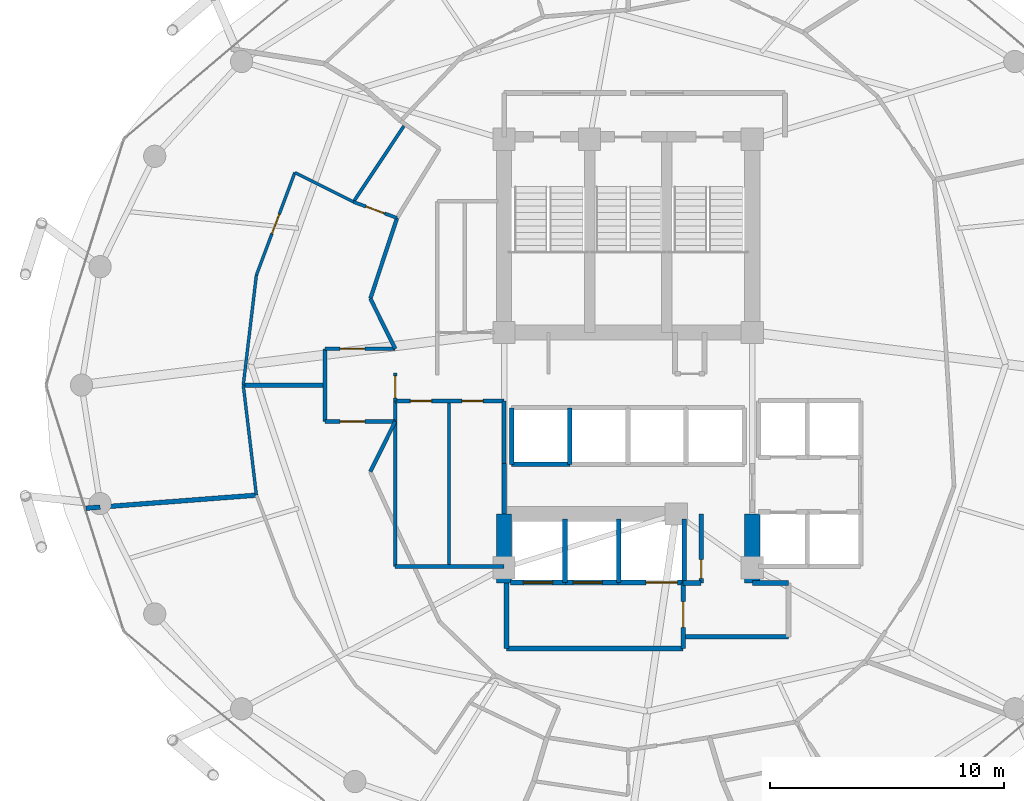
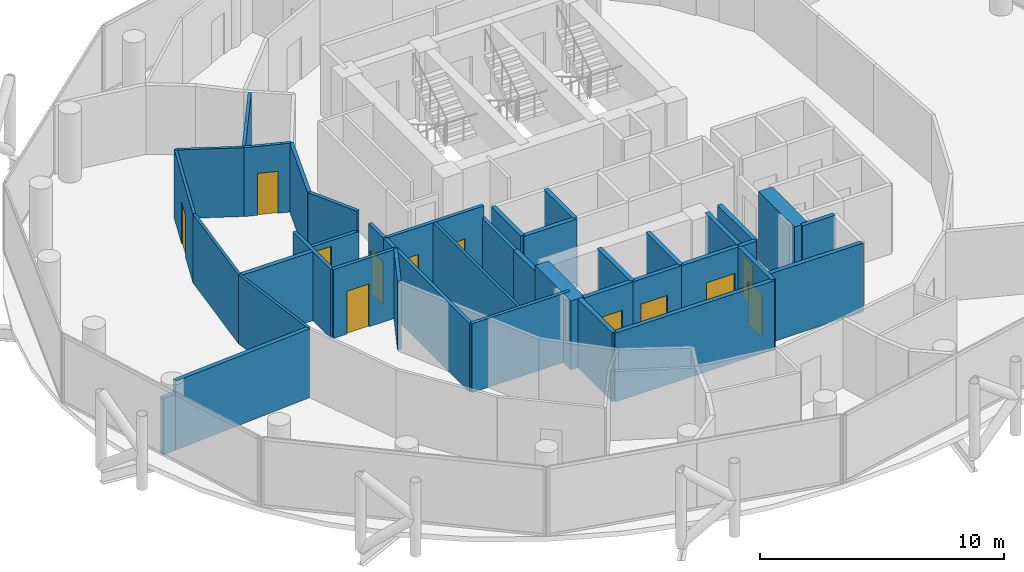
# One storey, part 22 of 26: 40 walls, 12 doors, 12 openings.
"""IFC4 building model written with IfcOpenShell, lengths in metres."""

import ifcopenshell
import ifcopenshell.guid

model = None  # the IFC model being written
_history = None  # IfcOwnerHistory: only IFC2X3 demands one
_inside = {}  # id of a spatial element -> (the spatial element, [elements in it])
_under = {}  # id of a project, library or spatial element -> (it, [spatial elements below it])
_declared = {}  # id of a project -> (the project, [libraries it declares])
_typed = {}  # id of a type object -> (the type object, [elements of that type])
_made_of = {}  # id of a material, layer set ... -> (it, [elements and type objects made of it])


def new_model(schema):
    """Start an empty IFC model of exactly this schema.

    Asked for "IFC4X3", IfcOpenShell would pick the latest addendum, in which some entities
    have other attributes; the version numbers below select the first issue.
    IFC2X3 requires an IfcOwnerHistory on every rooted entity: one is made here for all.
    """
    global model, _history
    if schema == "IFC4X3":
        model = ifcopenshell.file(schema_version=(4, 3, 0, 0))
    else:
        model = ifcopenshell.file(schema=schema)
    _inside.clear()
    _under.clear()
    _declared.clear()
    _typed.clear()
    _made_of.clear()
    _history = None
    if model.schema == "IFC2X3":
        org = make("IfcOrganization", Name="unknown")
        user = make(
            "IfcPersonAndOrganization",
            ThePerson=make("IfcPerson", FamilyName="unknown"),
            TheOrganization=org,
        )
        app = make(
            "IfcApplication",
            ApplicationDeveloper=org,
            Version="unknown",
            ApplicationFullName="unknown",
            ApplicationIdentifier="unknown",
        )
        _history = make(
            "IfcOwnerHistory",
            OwningUser=user,
            OwningApplication=app,
            ChangeAction="ADDED",
            CreationDate=0,
        )
    return model


def make(cls, **values):
    """One entity of the class cls with the attributes given. An attribute that is None is left unset."""
    return model.create_entity(
        cls, **{name: value for name, value in values.items() if value is not None}
    )


def rooted(cls, **values):
    """An entity with a GlobalId (a new one), such as an element, a storey or a relation."""
    return make(cls, GlobalId=ifcopenshell.guid.new(), OwnerHistory=_history, **values)


def si_unit(unit_type, name, prefix=None):
    """IfcSIUnit, for example si_unit("LENGTHUNIT", "METRE", prefix="MILLI")."""
    return make("IfcSIUnit", UnitType=unit_type, Prefix=prefix, Name=name)


def assignment(units):
    """IfcUnitAssignment: the units of a project."""
    return None if units is None else make("IfcUnitAssignment", Units=units)


def point(xyz):
    """IfcCartesianPoint."""
    return None if xyz is None else make("IfcCartesianPoint", Coordinates=xyz)


def direction(xyz):
    """IfcDirection."""
    return None if xyz is None else make("IfcDirection", DirectionRatios=xyz)


def frame(location, z_axis=None, x_axis=None):
    """IfcAxis2Placement3D, a coordinate frame: its origin and axes. An axis left out is left unset."""
    return make(
        "IfcAxis2Placement3D",
        Location=point(location),
        Axis=direction(z_axis),
        RefDirection=direction(x_axis),
    )


def frame_2d(location, x_axis=None):
    """IfcAxis2Placement2D, a coordinate frame in the plane: its origin and x axis."""
    return make(
        "IfcAxis2Placement2D", Location=point(location), RefDirection=direction(x_axis)
    )


def origin():
    """The frame at (0, 0, 0) with its axes left unset."""
    return frame((0.0, 0.0, 0.0))


def place(relative_to, where):
    """IfcLocalPlacement: puts the frame where relative to a parent placement (None: the world)."""
    return make(
        "IfcLocalPlacement", PlacementRelTo=relative_to, RelativePlacement=where
    )


def context(
    kind, dimensions, precision=None, world=None, true_north=None, identifier=None
):
    """IfcGeometricRepresentationContext, for example the 3D "Model" context."""
    return make(
        "IfcGeometricRepresentationContext",
        ContextIdentifier=identifier,
        ContextType=kind,
        CoordinateSpaceDimension=dimensions,
        Precision=precision,
        WorldCoordinateSystem=world,
        TrueNorth=true_north,
    )


def subcontext(parent, identifier, kind, view, scale=None):
    """IfcGeometricRepresentationSubContext, for example "Body" below "Model"."""
    return make(
        "IfcGeometricRepresentationSubContext",
        ContextIdentifier=identifier,
        ContextType=kind,
        ParentContext=parent,
        TargetScale=scale,
        TargetView=view,
    )


def project(units=None, contexts=None):
    """IfcProject with its units and contexts."""
    return rooted(
        "IfcProject",
        Name="project",
        RepresentationContexts=contexts,
        UnitsInContext=assignment(units),
    )


def spatial(cls, under=None, at=None, **own):
    """A site, building, storey or space (cls), placed at a placement, below another one or the project."""
    s = rooted(cls, ObjectPlacement=at, **own)
    if under is not None:
        _under.setdefault(under.id(), (under, []))[1].append(s)
    return s


def profile(cls, at=None, kind="AREA", **sizes):
    """A parametric profile (cls). Its sizes go by their IFC names, for example OverallWidth=200.0."""
    return make(cls, ProfileType=kind, Position=at, **sizes)


def rectangle(**sizes):
    """IfcRectangleProfileDef."""
    return profile("IfcRectangleProfileDef", **sizes)


def extrude(swept, where, along, depth):
    """IfcExtrudedAreaSolid: the profile swept, set in the frame where, extruded along a direction by depth."""
    return make(
        "IfcExtrudedAreaSolid",
        SweptArea=swept,
        Position=where,
        ExtrudedDirection=direction(along),
        Depth=depth,
    )


def shape(context_of_items, identifier, shape_type, items):
    """IfcShapeRepresentation: the items that make up one representation, for example the "Body"."""
    return make(
        "IfcShapeRepresentation",
        ContextOfItems=context_of_items,
        RepresentationIdentifier=identifier,
        RepresentationType=shape_type,
        Items=items,
    )


def material(Name=None, Category=None):
    """IfcMaterial."""
    return make("IfcMaterial", Name=Name, Category=Category)


def layer(
    of_material, thickness, ventilated=None, Name=None, Category=None, Priority=None
):
    """IfcMaterialLayer: one layer of a wall or slab, of a material (None: an air gap)."""
    return make(
        "IfcMaterialLayer",
        Material=of_material,
        LayerThickness=thickness,
        IsVentilated=ventilated,
        Name=Name,
        Category=Category,
        Priority=Priority,
    )


def layer_set(layers, Name=None):
    """IfcMaterialLayerSet."""
    return make("IfcMaterialLayerSet", MaterialLayers=layers, LayerSetName=Name)


def made_of(thing, what):
    """Note that an element or type object is made of a material, layer set ...; save() writes the relation."""
    if what is not None:
        _made_of.setdefault(what.id(), (what, []))[1].append(thing)
    return thing


def type_object(cls, material=None, **own):
    """A type object (cls), such as IfcWallType, which elements share."""
    return made_of(rooted(cls, **own), material)


def element(
    cls,
    number,
    at=None,
    inside=None,
    cuts=None,
    type_object=None,
    material=None,
    context=None,
    identifier="Body",
    shape_type=None,
    held_by="IfcProductDefinitionShape",
    body=None,
    shapes=None,
    **own,
):
    """One element of the class cls, such as IfcWall. Its Tag is "e" and its number.

    at: its placement. inside: the storey or other place that contains it. cuts: it is an
    opening in that element (IfcRelVoidsElement). A single representation is given by context,
    identifier, shape_type and body (its items); several are given by shapes. held_by: the class
    of the entity that holds the representations. save() writes the other relations.
    """
    e = rooted(cls, Tag="e%d" % number, ObjectPlacement=at, **own)
    if body is not None:
        shapes = [shape(context, identifier, shape_type, body)]
    if shapes is not None:
        e.Representation = make(held_by, Representations=shapes)
    if inside is not None:
        _inside.setdefault(inside.id(), (inside, []))[1].append(e)
    if cuts is not None:
        rooted(
            "IfcRelVoidsElement", RelatingBuildingElement=cuts, RelatedOpeningElement=e
        )
    if type_object is not None:
        _typed.setdefault(type_object.id(), (type_object, []))[1].append(e)
    return made_of(e, material)


def fill(opening, filler):
    """IfcRelFillsElement: the door or window that sits in an opening."""
    return rooted(
        "IfcRelFillsElement",
        RelatingOpeningElement=opening,
        RelatedBuildingElement=filler,
    )


def aggregate(whole, parts):
    """IfcRelAggregates: a whole, such as a stair, and the parts it consists of."""
    return rooted("IfcRelAggregates", RelatingObject=whole, RelatedObjects=parts)


def save(model, path):
    """Write the relations noted so far, then the file.

    IfcRelAggregates (storeys below a building ...), IfcRelContainedInSpatialStructure (elements
    in a storey), IfcRelDefinesByType, IfcRelAssociatesMaterial and IfcRelDeclares: one each for
    every whole, place, type object, material and project.
    """
    for whole, parts in _under.values():
        aggregate(whole, parts)
    for where, things in _inside.values():
        rooted(
            "IfcRelContainedInSpatialStructure",
            RelatedElements=things,
            RelatingStructure=where,
        )
    for kind, things in _typed.values():
        rooted("IfcRelDefinesByType", RelatedObjects=things, RelatingType=kind)
    for what, things in _made_of.values():
        rooted("IfcRelAssociatesMaterial", RelatedObjects=things, RelatingMaterial=what)
    for by, libraries in _declared.values():
        rooted("IfcRelDeclares", RelatingContext=by, RelatedDefinitions=libraries)
    model.write(path)


model = new_model("IFC4")

# Units and contexts
model_context = context("Model", 3, precision=1e-05, world=origin(), true_north=direction((0.0, 1.0)))
body_context = subcontext(model_context, "Body", "Model", "MODEL_VIEW")
ifc_project = project(units=[si_unit("LENGTHUNIT", "METRE"), si_unit("AREAUNIT", "SQUARE_METRE"), si_unit("VOLUMEUNIT", "CUBIC_METRE"), si_unit("PLANEANGLEUNIT", "RADIAN"), si_unit("MASSUNIT", "GRAM", prefix="KILO")], contexts=[model_context])

# Site, building, storey
site_placement = place(None, origin())
site = spatial("IfcSite", under=ifc_project, at=site_placement, CompositionType="ELEMENT")
building_placement = place(site_placement, origin())
building = spatial("IfcBuilding", under=site, at=building_placement, Name="Nuhasar Tower", CompositionType="ELEMENT")
storey_placement = place(building_placement, frame((0.0, 0.0, 144.14990234375)))
storey = spatial("IfcBuildingStorey", under=building, at=storey_placement, Name="L34", CompositionType="ELEMENT", Elevation=144.14990234375)

# Walls
ifc_material_1 = material(Name="Concrete C65/80", Category="concrete")
ifc_layer_1 = layer(ifc_material_1, 0.64990234375)
ifc_layer_set_1 = layer_set([ifc_layer_1], Name="Concrete C65/80")
wall_type_1 = type_object("IfcWallType", Name="WL-CORE-650", PredefinedType="SHEAR", material=ifc_layer_set_1)
for number, where, z_axis, x_axis, name in (
    (1, (33.699951171875, 18.35009765625, 0.0), (0.0, 0.0, 1.0), (0.0, 1.0, 0.0), "L34 Core Shear Wall CW-SW CW-650"),
    (2, (44.300048828125, 18.35009765625, 0.0), (0.0, 0.0, 1.0), (0.0, 1.0, 0.0), "L34 Core Shear Wall CW-SE CW-650"),
):
    element("IfcWall", number, at=place(storey_placement, frame(where, z_axis=z_axis, x_axis=x_axis)), inside=storey, type_object=wall_type_1, Name=name, PredefinedType="SHEAR", context=body_context, shape_type="SweptSolid", body=[
        extrude(rectangle(XDim=2.949951171875, YDim=0.64990234375, at=frame_2d((1.47509765625, 0.0))), origin(), (0.0, 0.0, 1.0), 3.4501953125),
    ])
ifc_material_2 = material(Name="Gypsum Board", Category="gypsum")
ifc_layer_2 = layer(ifc_material_2, 0.159912109375)
ifc_layer_set_2 = layer_set([ifc_layer_2], Name="Gypsum Board")
wall_type_2 = type_object("IfcWallType", Name="WL-CORR-160", PredefinedType="PARTITIONING", material=ifc_layer_set_2)
wall_1_placement = place(storey_placement, frame((29.050048828125, 19.050048828125, 0.0), z_axis=(0.0, 0.0, 1.0), x_axis=(1.0, 0.0, 0.0)))
element("IfcWall", 3, at=wall_1_placement, inside=storey, type_object=wall_type_2, Name="L34 Interior Partition RECL-B1-S", PredefinedType="PARTITIONING", context=body_context, shape_type="SweptSolid", body=[
    extrude(rectangle(XDim=4.64990234375, YDim=0.159912109375, at=frame_2d((2.324951171875, 0.0))), origin(), (0.0, 0.0, 1.0), 3.4501953125),
])
wall_2_placement = place(storey_placement, frame((29.050048828125, 19.050048828125, 0.0), z_axis=(0.0, 0.0, 1.0), x_axis=(0.0, 1.0, 0.0)))
element("IfcWall", 4, at=wall_2_placement, inside=storey, type_object=wall_type_2, Name="L34 Interior Partition RECL-B1-W", PredefinedType="PARTITIONING", context=body_context, shape_type="SweptSolid", body=[
    extrude(rectangle(XDim=7.070068359375, YDim=0.159912109375, at=frame_2d((3.53515625, 0.0))), origin(), (0.0, 0.0, 1.0), 3.4501953125),
])
wall_3_placement = place(storey_placement, frame((33.699951171875, 23.449951171875, 0.0), z_axis=(0.0, 0.0, 1.0), x_axis=(0.0, 1.0, 0.0)))
element("IfcWall", 5, at=wall_3_placement, inside=storey, type_object=wall_type_2, Name="L34 Interior Partition RECL-B1-E", PredefinedType="PARTITIONING", context=body_context, shape_type="SweptSolid", body=[
    extrude(rectangle(XDim=2.670166015625, YDim=0.159912109375, at=frame_2d((1.3349609375, 0.0))), origin(), (0.0, 0.0, 1.0), 2.835205078125),
])

# Wall, openings, doors
wall_4_placement = place(storey_placement, frame((33.699951171875, 26.1201171875, 0.0), z_axis=(0.0, 0.0, 1.0), x_axis=(-1.0, 0.0, 0.0)))
wall_4 = element("IfcWall", 6, at=wall_4_placement, inside=storey, type_object=wall_type_2, Name="L34 Interior Partition RECL-B1-N", PredefinedType="PARTITIONING", context=body_context, shape_type="SweptSolid", body=[
    extrude(rectangle(XDim=4.64990234375, YDim=0.159912109375, at=frame_2d((2.324951171875, 0.0))), origin(), (0.0, 0.0, 1.0), 3.4501953125),
])
opening_1_placement = place(wall_4_placement, frame((3.10009765625, 0.0, 0.0)))
opening_1 = element("IfcOpeningElement", 7, at=opening_1_placement, cuts=wall_4, Name="Opening DR-01", PredefinedType="OPENING", context=body_context, shape_type="SweptSolid", body=[
    extrude(rectangle(XDim=0.89990234375, YDim=2.10009765625, at=frame_2d((0.449951171875, 1.050048828125))), frame((0.0, 0.08984375, 0.0), z_axis=(0.0, -1.0, 0.0), x_axis=(1.0, 0.0, 0.0)), (0.0, 0.0, 1.0), 0.179931640625),
])
opening_2_placement = place(wall_4_placement, frame((0.89990234375, 0.0, 0.0)))
opening_2 = element("IfcOpeningElement", 8, at=opening_2_placement, cuts=wall_4, Name="Opening DR-01", PredefinedType="OPENING", context=body_context, shape_type="SweptSolid", body=[
    extrude(rectangle(XDim=0.89990234375, YDim=2.10009765625, at=frame_2d((0.449951171875, 1.050048828125))), frame((0.0, 0.08984375, 0.0), z_axis=(0.0, -1.0, 0.0), x_axis=(1.0, 0.0, 0.0)), (0.0, 0.0, 1.0), 0.179931640625),
])
ifc_material_3 = material(Name="Timber Oak", Category="wood")
door_type_1 = type_object("IfcDoorType", Name="DR-ROOM-900", OperationType="NOTDEFINED", PredefinedType="DOOR", material=ifc_material_3)
door_1_placement = place(opening_1_placement, origin())
door_1 = element("IfcDoor", 9, at=door_1_placement, inside=storey, type_object=door_type_1, Name="L34 Housekeeping Door", OperationType="SINGLE_SWING_RIGHT", OverallHeight=2.10009765625, OverallWidth=0.89990234375, PredefinedType="DOOR", context=body_context, shape_type="SweptSolid", body=[
    extrude(rectangle(XDim=0.89990234375, YDim=2.10009765625, at=frame_2d((0.449951171875, 1.050048828125))), frame((0.0, 0.02490234375, 0.0), z_axis=(0.0, -1.0, 0.0), x_axis=(1.0, 0.0, 0.0)), (0.0, 0.0, 1.0), 0.050048828125),
])
fill(opening_1, door_1)
door_2_placement = place(opening_2_placement, origin())
door_2 = element("IfcDoor", 10, at=door_2_placement, inside=storey, type_object=door_type_1, Name="L34 Valet Pantry Door", OperationType="SINGLE_SWING_LEFT", OverallHeight=2.10009765625, OverallWidth=0.89990234375, PredefinedType="DOOR", context=body_context, shape_type="SweptSolid", body=[
    extrude(rectangle(XDim=0.89990234375, YDim=2.10009765625, at=frame_2d((0.449951171875, 1.050048828125))), frame((0.0, 0.02490234375, 0.0), z_axis=(0.0, -1.0, 0.0), x_axis=(1.0, 0.0, 0.0)), (0.0, 0.0, 1.0), 0.050048828125),
])
fill(opening_2, door_2)

# Wall, opening, door
wall_5_placement = place(storey_placement, frame((29.050048828125, 26.1201171875, 0.0), z_axis=(0.0, 0.0, 1.0), x_axis=(0.0, 1.0, 0.0)))
wall_5 = element("IfcWall", 11, at=wall_5_placement, inside=storey, type_object=wall_type_2, Name="L34 Interior Partition WVEST-E", PredefinedType="PARTITIONING", context=body_context, shape_type="SweptSolid", body=[
    extrude(rectangle(XDim=1.199951171875, YDim=0.159912109375, at=frame_2d((0.60009765625, 0.0))), origin(), (0.0, 0.0, 1.0), 3.4501953125),
])
opening_3_placement = place(wall_5_placement, frame((0.125, 0.0, 0.0)))
opening_3 = element("IfcOpeningElement", 12, at=opening_3_placement, cuts=wall_5, Name="Opening DO-01", PredefinedType="OPENING", context=body_context, shape_type="SweptSolid", body=[
    extrude(rectangle(XDim=0.949951171875, YDim=2.14990234375, at=frame_2d((0.47509765625, 1.074951171875))), frame((0.0, 0.08984375, 0.0), z_axis=(0.0, -1.0, 0.0), x_axis=(1.0, 0.0, 0.0)), (0.0, 0.0, 1.0), 0.179931640625),
])
door_type_2 = type_object("IfcDoorType", Name="DR-OFFICE-FD30-950", OperationType="NOTDEFINED", PredefinedType="DOOR", material=ifc_material_3)
door_3_placement = place(opening_3_placement, origin())
door_3 = element("IfcDoor", 13, at=door_3_placement, inside=storey, type_object=door_type_2, Name="L34 West Arrival Foyer Core Door", OperationType="SINGLE_SWING_LEFT", OverallHeight=2.14990234375, OverallWidth=0.949951171875, PredefinedType="DOOR", context=body_context, shape_type="SweptSolid", body=[
    extrude(rectangle(XDim=0.949951171875, YDim=2.14990234375, at=frame_2d((0.47509765625, 1.074951171875))), frame((0.0, 0.02490234375, 0.0), z_axis=(0.0, -1.0, 0.0), x_axis=(1.0, 0.0, 0.0)), (0.0, 0.0, 1.0), 0.050048828125),
])
fill(opening_3, door_3)

# Wall
wall_6_placement = place(storey_placement, frame((29.126953125, 33.93994140625, 0.0), z_axis=(0.0, 0.0, 1.0), x_axis=(-0.313985571683, -0.949427754374, 0.0)))
element("IfcWall", 14, at=wall_6_placement, inside=storey, type_object=wall_type_2, Name="L34 Interior Partition HWEST-CORE-N-20", PredefinedType="PARTITIONING", context=body_context, shape_type="SweptSolid", body=[
    extrude(rectangle(XDim=3.627197265625, YDim=0.159912109375, at=frame_2d((1.8134765625, 0.0))), origin(), (0.0, 0.0, 1.0), 3.4501953125),
])

# Wall, opening, door
wall_7_placement = place(storey_placement, frame((26.050048828125, 28.35009765625, 0.0), z_axis=(0.0, 0.0, 1.0), x_axis=(1.0, 0.0, 0.0)))
wall_7 = element("IfcWall", 15, at=wall_7_placement, inside=storey, type_object=wall_type_2, Name="L34 Interior Partition WVEST-N", PredefinedType="PARTITIONING", context=body_context, shape_type="SweptSolid", body=[
    extrude(rectangle(XDim=3.0, YDim=0.159912109375, at=frame_2d((1.5, 0.0))), origin(), (0.0, 0.0, 1.0), 2.440185546875),
])
opening_4_placement = place(wall_7_placement, frame((0.64990234375, 0.0, 0.0)))
opening_4 = element("IfcOpeningElement", 16, at=opening_4_placement, cuts=wall_7, Name="Opening DU-01", PredefinedType="OPENING", context=body_context, shape_type="SweptSolid", body=[
    extrude(rectangle(XDim=1.050048828125, YDim=2.14990234375, at=frame_2d((0.52490234375, 1.074951171875))), frame((0.0, 0.08984375, 0.0), z_axis=(0.0, -1.0, 0.0), x_axis=(1.0, 0.0, 0.0)), (0.0, 0.0, 1.0), 0.179931640625),
])
door_type_3 = type_object("IfcDoorType", Name="DR-SUITE-FD60-1050", OperationType="NOTDEFINED", PredefinedType="DOOR", material=ifc_material_3)
door_4_placement = place(opening_4_placement, origin())
door_4 = element("IfcDoor", 17, at=door_4_placement, inside=storey, type_object=door_type_3, Name="L34 North-West Sunset Suite Entrance", OperationType="SINGLE_SWING_LEFT", OverallHeight=2.14990234375, OverallWidth=1.050048828125, PredefinedType="DOOR", context=body_context, shape_type="SweptSolid", body=[
    extrude(rectangle(XDim=1.050048828125, YDim=2.14990234375, at=frame_2d((0.52490234375, 1.074951171875))), frame((0.0, 0.02490234375, 0.0), z_axis=(0.0, -1.0, 0.0), x_axis=(1.0, 0.0, 0.0)), (0.0, 0.0, 1.0), 0.050048828125),
])
fill(opening_4, door_4)

wall_8_placement = place(storey_placement, frame((26.050048828125, 25.25, 0.0), z_axis=(0.0, 0.0, 1.0), x_axis=(1.0, 0.0, 0.0)))
wall_8 = element("IfcWall", 18, at=wall_8_placement, inside=storey, type_object=wall_type_2, Name="L34 Interior Partition WVEST-S", PredefinedType="PARTITIONING", context=body_context, shape_type="SweptSolid", body=[
    extrude(rectangle(XDim=3.0, YDim=0.159912109375, at=frame_2d((1.5, 0.0))), origin(), (0.0, 0.0, 1.0), 3.4501953125),
])
opening_5_placement = place(wall_8_placement, frame((0.64990234375, 0.0, 0.0)))
opening_5 = element("IfcOpeningElement", 19, at=opening_5_placement, cuts=wall_8, Name="Opening DU-01", PredefinedType="OPENING", context=body_context, shape_type="SweptSolid", body=[
    extrude(rectangle(XDim=1.050048828125, YDim=2.14990234375, at=frame_2d((0.52490234375, 1.074951171875))), frame((0.0, 0.08984375, 0.0), z_axis=(0.0, -1.0, 0.0), x_axis=(1.0, 0.0, 0.0)), (0.0, 0.0, 1.0), 0.179931640625),
])
door_5_placement = place(opening_5_placement, origin())
door_5 = element("IfcDoor", 20, at=door_5_placement, inside=storey, type_object=door_type_3, Name="L34 South-West Presidential Suite Entrance", OperationType="SINGLE_SWING_LEFT", OverallHeight=2.14990234375, OverallWidth=1.050048828125, PredefinedType="DOOR", context=body_context, shape_type="SweptSolid", body=[
    extrude(rectangle(XDim=1.050048828125, YDim=2.14990234375, at=frame_2d((0.52490234375, 1.074951171875))), frame((0.0, 0.02490234375, 0.0), z_axis=(0.0, -1.0, 0.0), x_axis=(1.0, 0.0, 0.0)), (0.0, 0.0, 1.0), 0.050048828125),
])
fill(opening_5, door_5)

# Walls
wall_9_placement = place(storey_placement, frame((26.050048828125, 25.25, 0.0), z_axis=(0.0, 0.0, 1.0), x_axis=(0.0, 1.0, 0.0)))
element("IfcWall", 21, at=wall_9_placement, inside=storey, type_object=wall_type_2, Name="L34 Interior Partition WVEST-W", PredefinedType="PARTITIONING", context=body_context, shape_type="SweptSolid", body=[
    extrude(rectangle(XDim=3.10009765625, YDim=0.159912109375, at=frame_2d((1.550048828125, 0.0))), origin(), (0.0, 0.0, 1.0), 3.4501953125),
])
for number, where, z_axis, x_axis, name in (
    (22, (27.988037109375, 30.49609375, 0.0), (0.0, 0.0, 1.0), (0.443539160525, -0.896254993337, 0.0), "L34 Interior Partition WVEST-CN"),
    (23, (27.988037109375, 23.10400390625, 0.0), (0.0, 0.0, 1.0), (0.443539160525, 0.896254993337, 0.0), "L34 Interior Partition WVEST-CS"),
):
    element("IfcWall", number, at=place(storey_placement, frame(where, z_axis=z_axis, x_axis=x_axis)), inside=storey, type_object=wall_type_2, Name=name, PredefinedType="PARTITIONING", context=body_context, shape_type="SweptSolid", body=[
        extrude(rectangle(XDim=2.394287109375, YDim=0.159912109375, at=frame_2d((1.197265625, 0.0))), origin(), (0.0, 0.0, 1.0), 3.4501953125),
    ])
ifc_material_4 = material(Name="Concrete C45/55", Category="concrete")
ifc_layer_3 = layer(ifc_material_4, 0.199951171875)
ifc_layer_set_3 = layer_set([ifc_layer_3], Name="Concrete C45/55")
wall_type_3 = type_object("IfcWallType", Name="WL-LOBBY-200", PredefinedType="SOLIDWALL", material=ifc_layer_set_3)
wall_10_placement = place(storey_placement, frame((33.699951171875, 21.300048828125, 0.0), z_axis=(0.0, 0.0, 1.0), x_axis=(0.0, 1.0, 0.0)))
element("IfcWall", 24, at=wall_10_placement, inside=storey, type_object=wall_type_3, Name="L34 Interior Partition LLBH-W", PredefinedType="SOLIDWALL", context=body_context, shape_type="SweptSolid", body=[
    extrude(rectangle(XDim=2.14990234375, YDim=0.199951171875, at=frame_2d((1.074951171875, 0.0))), origin(), (0.0, 0.0, 1.0), 2.835205078125),
])
wall_11_placement = place(storey_placement, frame((33.800048828125, 15.550048828125, 0.0), z_axis=(0.0, 0.0, 1.0), x_axis=(1.0, 0.0, 0.0)))
element("IfcWall", 25, at=wall_11_placement, inside=storey, type_object=wall_type_3, Name="L34 Interior Partition FFL-S", PredefinedType="SOLIDWALL", context=body_context, shape_type="SweptSolid", body=[
    extrude(rectangle(XDim=7.550048828125, YDim=0.199951171875, at=frame_2d((3.77490234375, 0.0))), origin(), (0.0, 0.0, 1.0), 3.4501953125),
])
wall_12_placement = place(storey_placement, frame((33.800048828125, 15.550048828125, 0.0), z_axis=(0.0, 0.0, 1.0), x_axis=(0.0, 1.0, 0.0)))
element("IfcWall", 26, at=wall_12_placement, inside=storey, type_object=wall_type_3, Name="L34 Interior Partition FFL-W", PredefinedType="SOLIDWALL", context=body_context, shape_type="SweptSolid", body=[
    extrude(rectangle(XDim=2.800048828125, YDim=0.199951171875, at=frame_2d((1.39990234375, 0.0))), origin(), (0.0, 0.0, 1.0), 3.4501953125),
])

# Wall, opening, door
wall_13_placement = place(storey_placement, frame((41.35009765625, 15.550048828125, 0.0), z_axis=(0.0, 0.0, 1.0), x_axis=(0.0, 1.0, 0.0)))
wall_13 = element("IfcWall", 27, at=wall_13_placement, inside=storey, type_object=wall_type_3, Name="L34 Interior Partition FFL-E", PredefinedType="SOLIDWALL", context=body_context, shape_type="SweptSolid", body=[
    extrude(rectangle(XDim=2.800048828125, YDim=0.199951171875, at=frame_2d((1.39990234375, 0.0))), origin(), (0.0, 0.0, 1.0), 3.4501953125),
])
opening_6_placement = place(wall_13_placement, frame((0.89990234375, 0.0, 0.0)))
opening_6 = element("IfcOpeningElement", 28, at=opening_6_placement, cuts=wall_13, Name="Opening DS-02", PredefinedType="OPENING", context=body_context, shape_type="SweptSolid", body=[
    extrude(rectangle(XDim=1.10009765625, YDim=2.14990234375, at=frame_2d((0.550048828125, 1.074951171875))), frame((0.0, 0.10986328125, 0.0), z_axis=(0.0, -1.0, 0.0), x_axis=(1.0, 0.0, 0.0)), (0.0, 0.0, 1.0), 0.219970703125),
])
ifc_material_5 = material(Name="Steel S355", Category="steel")
door_type_4 = type_object("IfcDoorType", Name="DR-FFL-FD120-1100", OperationType="NOTDEFINED", PredefinedType="DOOR", material=ifc_material_5)
door_6_placement = place(opening_6_placement, origin())
door_6 = element("IfcDoor", 29, at=door_6_placement, inside=storey, type_object=door_type_4, Name="L34 Firefighting Lobby Door", OperationType="SINGLE_SWING_RIGHT", OverallHeight=2.14990234375, OverallWidth=1.10009765625, PredefinedType="DOOR", context=body_context, shape_type="SweptSolid", body=[
    extrude(rectangle(XDim=1.10009765625, YDim=2.14990234375, at=frame_2d((0.550048828125, 1.074951171875))), frame((0.0, 0.02490234375, 0.0), z_axis=(0.0, -1.0, 0.0), x_axis=(1.0, 0.0, 0.0)), (0.0, 0.0, 1.0), 0.050048828125),
])
fill(opening_6, door_6)

# Walls
wall_14_placement = place(storey_placement, frame((41.35009765625, 16.050048828125, 0.0), z_axis=(0.0, 0.0, 1.0), x_axis=(1.0, 0.0, 0.0)))
element("IfcWall", 30, at=wall_14_placement, inside=storey, type_object=wall_type_3, Name="L34 Interior Partition SVLV-S", PredefinedType="SOLIDWALL", context=body_context, shape_type="SweptSolid", body=[
    extrude(rectangle(XDim=4.5, YDim=0.199951171875, at=frame_2d((2.25, 0.0))), origin(), (0.0, 0.0, 1.0), 3.4501953125),
])
wall_15_placement = place(storey_placement, frame((44.300048828125, 18.35009765625, 0.0), z_axis=(0.0, 0.0, 1.0), x_axis=(1.0, 0.0, 0.0)))
element("IfcWall", 31, at=wall_15_placement, inside=storey, type_object=wall_type_3, Name="L34 Interior Partition SVLV-N", PredefinedType="SOLIDWALL", context=body_context, shape_type="SweptSolid", body=[
    extrude(rectangle(XDim=1.550048828125, YDim=0.199951171875, at=frame_2d((0.77490234375, 0.0))), origin(), (0.0, 0.0, 1.0), 3.4501953125),
])
ifc_layer_4 = layer(ifc_material_2, 0.125)
ifc_layer_set_4 = layer_set([ifc_layer_4], Name="Gypsum Board")
wall_type_4 = type_object("IfcWallType", Name="WL-PART-125", PredefinedType="PARTITIONING", material=ifc_layer_set_4)
wall_16_placement = place(storey_placement, frame((31.35009765625, 19.050048828125, 0.0), z_axis=(0.0, 0.0, 1.0), x_axis=(0.0, 1.0, 0.0)))
element("IfcWall", 32, at=wall_16_placement, inside=storey, type_object=wall_type_4, Name="L34 Interior Partition RECL-B1-V", PredefinedType="PARTITIONING", context=body_context, shape_type="SweptSolid", body=[
    extrude(rectangle(XDim=7.070068359375, YDim=0.125, at=frame_2d((3.53515625, 0.0))), origin(), (0.0, 0.0, 1.0), 3.4501953125),
])
wall_17_placement = place(storey_placement, frame((27.264892578125, 34.625, 0.0), z_axis=(0.0, 0.0, 1.0), x_axis=(-0.893868262645, 0.448329710187, 0.0)))
element("IfcWall", 33, at=wall_17_placement, inside=storey, type_object=wall_type_4, Name="L34 Interior Partition HWS1-S", PredefinedType="PARTITIONING", context=body_context, shape_type="SweptSolid", body=[
    extrude(rectangle(XDim=2.799072265625, YDim=0.125, at=frame_2d((1.3994140625, 0.0))), origin(), (0.0, 0.0, 1.0), 3.4501953125),
])

# Wall, opening, door
wall_18_placement = place(storey_placement, frame((24.762939453125, 35.8798828125, 0.0), z_axis=(0.0, 0.0, 1.0), x_axis=(-0.351192075157, -0.936303437111, 0.0)))
wall_18 = element("IfcWall", 34, at=wall_18_placement, inside=storey, type_object=wall_type_4, Name="L34 Interior Partition HWS1-ARC-20", PredefinedType="PARTITIONING", context=body_context, shape_type="SweptSolid", body=[
    extrude(rectangle(XDim=4.677734375, YDim=0.125, at=frame_2d((2.3388671875, 0.0))), origin(), (0.0, 0.0, 1.0), 3.4501953125),
])
opening_7_placement = place(wall_18_placement, frame((1.888916015625, 0.0, 0.0)))
opening_7 = element("IfcOpeningElement", 35, at=opening_7_placement, cuts=wall_18, Name="Opening DR-01", PredefinedType="OPENING", context=body_context, shape_type="SweptSolid", body=[
    extrude(rectangle(XDim=0.89990234375, YDim=2.10009765625, at=frame_2d((0.449951171875, 1.050048828125))), frame((0.0, 0.072509765625, 0.0), z_axis=(0.0, -1.0, 0.0), x_axis=(1.0, 0.0, 0.0)), (0.0, 0.0, 1.0), 0.14501953125),
])
door_7_placement = place(opening_7_placement, origin())
door_7 = element("IfcDoor", 36, at=door_7_placement, inside=storey, type_object=door_type_1, Name="L34 North-West Sunset Suite Bedroom Door", OperationType="SINGLE_SWING_RIGHT", OverallHeight=2.10009765625, OverallWidth=0.89990234375, PredefinedType="DOOR", context=body_context, shape_type="SweptSolid", body=[
    extrude(rectangle(XDim=0.89990234375, YDim=2.10009765625, at=frame_2d((0.449951171875, 1.050048828125))), frame((0.0, 0.02490234375, 0.0), z_axis=(0.0, -1.0, 0.0), x_axis=(1.0, 0.0, 0.0)), (0.0, 0.0, 1.0), 0.050048828125),
])
fill(opening_7, door_7)

# Walls
for number, where, z_axis, x_axis, name in (
    (37, (23.1201171875, 31.5, 0.0), (0.0, 0.0, 1.0), (-0.118325506778, -0.992974860933, 0.0), "L34 Interior Partition HWS1-ARC-22"),
    (38, (22.56005859375, 26.800048828125, 0.0), (0.0, 0.0, 1.0), (0.118325506778, -0.992974860933, 0.0), "L34 Interior Partition HWS2-ARC-24"),
):
    element("IfcWall", number, at=place(storey_placement, frame(where, z_axis=z_axis, x_axis=x_axis)), inside=storey, type_object=wall_type_4, Name=name, PredefinedType="PARTITIONING", context=body_context, shape_type="SweptSolid", body=[
        extrude(rectangle(XDim=4.733154296875, YDim=0.125, at=frame_2d((2.36669921875, 0.0))), origin(), (0.0, 0.0, 1.0), 3.4501953125),
    ])
ifc_layer_5 = layer(ifc_material_4, 0.199951171875)
ifc_layer_set_5 = layer_set([ifc_layer_5], Name="Concrete C45/55")
wall_type_5 = type_object("IfcWallType", Name="WL-SHAFT-200", PredefinedType="SOLIDWALL", material=ifc_layer_set_5)
wall_19_placement = place(storey_placement, frame((34.02001953125, 23.419921875, 0.0), z_axis=(0.0, 0.0, 1.0), x_axis=(1.0, 0.0, 0.0)))
element("IfcWall", 39, at=wall_19_placement, inside=storey, type_object=wall_type_5, Name="L34 Interior Partition SHF-PL-H01-S", PredefinedType="SOLIDWALL", context=body_context, shape_type="SweptSolid", body=[
    extrude(rectangle(XDim=2.5, YDim=0.199951171875, at=frame_2d((1.25, 0.0))), origin(), (0.0, 0.0, 1.0), 3.4501953125),
])
for number, where, z_axis, x_axis, name in (
    (40, (34.02001953125, 23.419921875, 0.0), (0.0, 0.0, 1.0), (0.0, 1.0, 0.0), "L34 Interior Partition SHF-PL-H01-W"),
    (41, (36.510009765625, 23.419921875, 0.0), (0.0, 0.0, 1.0), (0.0, 1.0, 0.0), "L34 Interior Partition SHF-PL-H01-E"),
):
    element("IfcWall", number, at=place(storey_placement, frame(where, z_axis=z_axis, x_axis=x_axis)), inside=storey, type_object=wall_type_5, Name=name, PredefinedType="SOLIDWALL", context=body_context, shape_type="SweptSolid", body=[
        extrude(rectangle(XDim=2.41015625, YDim=0.199951171875, at=frame_2d((1.205078125, 0.0))), origin(), (0.0, 0.0, 1.0), 3.4501953125),
    ])

# Wall, opening, door
wall_20_placement = place(storey_placement, frame((33.969970703125, 18.3701171875, 0.0), z_axis=(0.0, 0.0, 1.0), x_axis=(1.0, 0.0, 0.0)))
wall_20 = element("IfcWall", 42, at=wall_20_placement, inside=storey, type_object=wall_type_5, Name="L34 Interior Partition SHF-FFL-01-S", PredefinedType="SOLIDWALL", context=body_context, shape_type="SweptSolid", body=[
    extrude(rectangle(XDim=2.360107421875, YDim=0.199951171875, at=frame_2d((1.18017578125, 0.0))), origin(), (0.0, 0.0, 1.0), 3.4501953125),
])
opening_8_placement = place(wall_20_placement, frame((0.554931640625, 0.0, 0.0)))
opening_8 = element("IfcOpeningElement", 43, at=opening_8_placement, cuts=wall_20, Name="Opening LD-F01", PredefinedType="OPENING", context=body_context, shape_type="SweptSolid", body=[
    extrude(rectangle(XDim=1.25, YDim=2.199951171875, at=frame_2d((0.625, 1.10009765625))), frame((0.0, 0.10986328125, 0.0), z_axis=(0.0, -1.0, 0.0), x_axis=(1.0, 0.0, 0.0)), (0.0, 0.0, 1.0), 0.219970703125),
])
ifc_material_6 = material(Name="Stainless Steel 316L", Category="steel")
door_type_5 = type_object("IfcDoorType", Name="LD-FFL-1250", OperationType="DOUBLE_DOOR_SLIDING", PredefinedType="DOOR", material=ifc_material_6)
door_8_placement = place(opening_8_placement, origin())
door_8 = element("IfcDoor", 44, at=door_8_placement, inside=storey, type_object=door_type_5, Name="L34 Lift Landing Door FFL-01", OperationType="DOUBLE_DOOR_SLIDING", OverallHeight=2.199951171875, OverallWidth=1.25, PredefinedType="DOOR", context=body_context, shape_type="SweptSolid", body=[
    extrude(rectangle(XDim=1.25, YDim=2.199951171875, at=frame_2d((0.625, 1.10009765625))), frame((0.0, 0.02490234375, 0.0), z_axis=(0.0, -1.0, 0.0), x_axis=(1.0, 0.0, 0.0)), (0.0, 0.0, 1.0), 0.050048828125),
])
fill(opening_8, door_8)

# Wall
wall_21_placement = place(storey_placement, frame((36.300048828125, 18.3701171875, 0.0), z_axis=(0.0, 0.0, 1.0), x_axis=(0.0, 1.0, 0.0)))
element("IfcWall", 45, at=wall_21_placement, inside=storey, type_object=wall_type_5, Name="L34 Interior Partition SHF-FFL-01-E", PredefinedType="SOLIDWALL", context=body_context, shape_type="SweptSolid", body=[
    extrude(rectangle(XDim=2.7099609375, YDim=0.199951171875, at=frame_2d((1.35498046875, 0.0))), origin(), (0.0, 0.0, 1.0), 3.4501953125),
])

# Wall, opening, door
wall_22_placement = place(storey_placement, frame((36.27001953125, 18.3701171875, 0.0), z_axis=(0.0, 0.0, 1.0), x_axis=(1.0, 0.0, 0.0)))
wall_22 = element("IfcWall", 46, at=wall_22_placement, inside=storey, type_object=wall_type_5, Name="L34 Interior Partition SHF-FFL-02-S", PredefinedType="SOLIDWALL", context=body_context, shape_type="SweptSolid", body=[
    extrude(rectangle(XDim=2.35986328125, YDim=0.199951171875, at=frame_2d((1.179931640625, 0.0))), origin(), (0.0, 0.0, 1.0), 3.4501953125),
])
opening_9_placement = place(wall_22_placement, frame((0.3798828125, 0.0, 0.0)))
opening_9 = element("IfcOpeningElement", 47, at=opening_9_placement, cuts=wall_22, Name="Opening LD-F02", PredefinedType="OPENING", context=body_context, shape_type="SweptSolid", body=[
    extrude(rectangle(XDim=1.25, YDim=2.199951171875, at=frame_2d((0.625, 1.10009765625))), frame((0.0, 0.10986328125, 0.0), z_axis=(0.0, -1.0, 0.0), x_axis=(1.0, 0.0, 0.0)), (0.0, 0.0, 1.0), 0.219970703125),
])
door_9_placement = place(opening_9_placement, origin())
door_9 = element("IfcDoor", 48, at=door_9_placement, inside=storey, type_object=door_type_5, Name="L34 Lift Landing Door FFL-02", OperationType="DOUBLE_DOOR_SLIDING", OverallHeight=2.199951171875, OverallWidth=1.25, PredefinedType="DOOR", context=body_context, shape_type="SweptSolid", body=[
    extrude(rectangle(XDim=1.25, YDim=2.199951171875, at=frame_2d((0.625, 1.10009765625))), frame((0.0, 0.02490234375, 0.0), z_axis=(0.0, -1.0, 0.0), x_axis=(1.0, 0.0, 0.0)), (0.0, 0.0, 1.0), 0.050048828125),
])
fill(opening_9, door_9)

# Wall
wall_23_placement = place(storey_placement, frame((38.60009765625, 18.3701171875, 0.0), z_axis=(0.0, 0.0, 1.0), x_axis=(0.0, 1.0, 0.0)))
element("IfcWall", 49, at=wall_23_placement, inside=storey, type_object=wall_type_5, Name="L34 Interior Partition SHF-FFL-02-E", PredefinedType="SOLIDWALL", context=body_context, shape_type="SweptSolid", body=[
    extrude(rectangle(XDim=2.7099609375, YDim=0.199951171875, at=frame_2d((1.35498046875, 0.0))), origin(), (0.0, 0.0, 1.0), 3.4501953125),
])

# Wall, opening, door
wall_24_placement = place(storey_placement, frame((38.570068359375, 18.3701171875, 0.0), z_axis=(0.0, 0.0, 1.0), x_axis=(1.0, 0.0, 0.0)))
wall_24 = element("IfcWall", 50, at=wall_24_placement, inside=storey, type_object=wall_type_5, Name="L34 Interior Partition SHF-SVL-01-S", PredefinedType="SOLIDWALL", context=body_context, shape_type="SweptSolid", body=[
    extrude(rectangle(XDim=2.829833984375, YDim=0.199951171875, at=frame_2d((1.4150390625, 0.0))), origin(), (0.0, 0.0, 1.0), 3.4501953125),
])
opening_10_placement = place(wall_24_placement, frame((1.179931640625, 0.0, 0.0)))
opening_10 = element("IfcOpeningElement", 51, at=opening_10_placement, cuts=wall_24, Name="Opening LD-S01", PredefinedType="OPENING", context=body_context, shape_type="SweptSolid", body=[
    extrude(rectangle(XDim=1.35009765625, YDim=2.179931640625, at=frame_2d((0.675048828125, 1.08984375))), frame((0.0, 0.10986328125, 0.0), z_axis=(0.0, -1.0, 0.0), x_axis=(1.0, 0.0, 0.0)), (0.0, 0.0, 1.0), 0.219970703125),
])
door_type_6 = type_object("IfcDoorType", Name="LD-SVL-1350", OperationType="DOUBLE_DOOR_SLIDING", PredefinedType="DOOR", material=ifc_material_6)
door_10_placement = place(opening_10_placement, origin())
door_10 = element("IfcDoor", 52, at=door_10_placement, inside=storey, type_object=door_type_6, Name="L34 Lift Landing Door SVL-01", OperationType="DOUBLE_DOOR_SLIDING", OverallHeight=2.179931640625, OverallWidth=1.35009765625, PredefinedType="DOOR", context=body_context, shape_type="SweptSolid", body=[
    extrude(rectangle(XDim=1.35009765625, YDim=2.179931640625, at=frame_2d((0.675048828125, 1.08984375))), frame((0.0, 0.02490234375, 0.0), z_axis=(0.0, -1.0, 0.0), x_axis=(1.0, 0.0, 0.0)), (0.0, 0.0, 1.0), 0.050048828125),
])
fill(opening_10, door_10)

# Wall
wall_25_placement = place(storey_placement, frame((41.39990234375, 18.3701171875, 0.0), z_axis=(0.0, 0.0, 1.0), x_axis=(0.0, 1.0, 0.0)))
element("IfcWall", 53, at=wall_25_placement, inside=storey, type_object=wall_type_5, Name="L34 Interior Partition SHF-SVL-01-E", PredefinedType="SOLIDWALL", context=body_context, shape_type="SweptSolid", body=[
    extrude(rectangle(XDim=2.7099609375, YDim=0.199951171875, at=frame_2d((1.35498046875, 0.0))), origin(), (0.0, 0.0, 1.0), 3.4501953125),
])

# Wall, opening, door
wall_26_placement = place(storey_placement, frame((42.1201171875, 18.35009765625, 0.0), z_axis=(0.0, 0.0, 1.0), x_axis=(0.0, 1.0, 0.0)))
wall_26 = element("IfcWall", 54, at=wall_26_placement, inside=storey, type_object=wall_type_5, Name="L34 Interior Partition RSR-E", PredefinedType="SOLIDWALL", context=body_context, shape_type="SweptSolid", body=[
    extrude(rectangle(XDim=2.949951171875, YDim=0.199951171875, at=frame_2d((1.47509765625, 0.0))), origin(), (0.0, 0.0, 1.0), 3.4501953125),
])
opening_11_placement = place(wall_26_placement, frame((0.199951171875, 0.0, 0.0)))
opening_11 = element("IfcOpeningElement", 55, at=opening_11_placement, cuts=wall_26, Name="Opening DM-01", PredefinedType="OPENING", context=body_context, shape_type="SweptSolid", body=[
    extrude(rectangle(XDim=0.800048828125, YDim=2.050048828125, at=frame_2d((0.39990234375, 1.02490234375))), frame((0.0, 0.10986328125, 0.0), z_axis=(0.0, -1.0, 0.0), x_axis=(1.0, 0.0, 0.0)), (0.0, 0.0, 1.0), 0.219970703125),
])
door_type_7 = type_object("IfcDoorType", Name="DR-RISER-FD60-800", OperationType="NOTDEFINED", PredefinedType="DOOR", material=ifc_material_5)
door_11_placement = place(opening_11_placement, origin())
door_11 = element("IfcDoor", 56, at=door_11_placement, inside=storey, type_object=door_type_7, Name="L34 MEP Riser Access Door", OperationType="SINGLE_SWING_LEFT", OverallHeight=2.050048828125, OverallWidth=0.800048828125, PredefinedType="DOOR", context=body_context, shape_type="SweptSolid", body=[
    extrude(rectangle(XDim=0.800048828125, YDim=2.050048828125, at=frame_2d((0.39990234375, 1.02490234375))), frame((0.0, 0.02490234375, 0.0), z_axis=(0.0, -1.0, 0.0), x_axis=(1.0, 0.0, 0.0)), (0.0, 0.0, 1.0), 0.050048828125),
])
fill(opening_11, door_11)

# Walls
wall_27_placement = place(storey_placement, frame((41.35009765625, 18.35009765625, 0.0), z_axis=(0.0, 0.0, 1.0), x_axis=(1.0, 0.0, 0.0)))
element("IfcWall", 57, at=wall_27_placement, inside=storey, type_object=wall_type_5, Name="L34 Interior Partition RSR-S", PredefinedType="SOLIDWALL", context=body_context, shape_type="SweptSolid", body=[
    extrude(rectangle(XDim=0.77001953125, YDim=0.199951171875, at=frame_2d((0.385009765625, 0.0))), origin(), (0.0, 0.0, 1.0), 3.4501953125),
])
ifc_material_7 = material(Name="Concrete C40/50 precast", Category="concrete")
ifc_layer_6 = layer(ifc_material_7, 0.199951171875)
ifc_layer_set_6 = layer_set([ifc_layer_6], Name="Concrete C40/50 precast")
wall_type_6 = type_object("IfcWallType", Name="WL-UNIT-200", PredefinedType="PARTITIONING", material=ifc_layer_set_6)
wall_28_placement = place(storey_placement, frame((26.050048828125, 26.800048828125, 0.0), z_axis=(0.0, 0.0, 1.0), x_axis=(-1.0, 0.0, 0.0)))
element("IfcWall", 58, at=wall_28_placement, inside=storey, type_object=wall_type_6, Name="L34 Interior Partition HWEST-DIV-IN", PredefinedType="PARTITIONING", context=body_context, shape_type="SweptSolid", body=[
    extrude(rectangle(XDim=3.489990234375, YDim=0.199951171875, at=frame_2d((1.7451171875, 0.0))), origin(), (0.0, 0.0, 1.0), 3.4501953125),
])
wall_29_placement = place(storey_placement, frame((23.1201171875, 22.10009765625, 0.0), z_axis=(0.0, 0.0, 1.0), x_axis=(-0.997102364168, -0.076071514848, 0.0)))
element("IfcWall", 59, at=wall_29_placement, inside=storey, type_object=wall_type_6, Name="L34 Interior Partition HWEST-DIV-OUT", PredefinedType="PARTITIONING", context=body_context, shape_type="SweptSolid", body=[
    extrude(rectangle(XDim=6.69140625, YDim=0.199951171875, at=frame_2d((3.345703125, 0.0))), origin(), (0.0, 0.0, 1.0), 3.4501953125),
])
wall_30_placement = place(storey_placement, frame((16.447998046875, 21.591064453125, 0.0), z_axis=(0.0, 0.0, 1.0), x_axis=(-0.997030969882, -0.077001591512, 0.0)))
element("IfcWall", 60, at=wall_30_placement, inside=storey, type_object=wall_type_6, Name="L34 Interior Partition HWEST-DIV-OUT", PredefinedType="PARTITIONING", context=body_context, shape_type="SweptSolid", body=[
    extrude(rectangle(XDim=0.61181640625, YDim=0.199951171875, at=frame_2d((0.305908203125, 0.0))), origin(), (0.0, 0.0, 1.0), 2.835205078125),
])

# Wall, opening, door
ifc_layer_7 = layer(ifc_material_7, 0.139892578125)
ifc_layer_set_7 = layer_set([ifc_layer_7], Name="Concrete C40/50 precast")
wall_type_7 = type_object("IfcWallType", Name="WL-WET-140", PredefinedType="PARTITIONING", material=ifc_layer_set_7)
wall_31_placement = place(storey_placement, frame((27.264892578125, 34.625, 0.0), z_axis=(0.0, 0.0, 1.0), x_axis=(0.938500583084, -0.345277649945, 0.0)))
wall_31 = element("IfcWall", 61, at=wall_31_placement, inside=storey, type_object=wall_type_7, Name="L34 Interior Partition HBW1-S", PredefinedType="PARTITIONING", context=body_context, shape_type="SweptSolid", body=[
    extrude(rectangle(XDim=1.984130859375, YDim=0.139892578125, at=frame_2d((0.9921875, 0.0))), origin(), (0.0, 0.0, 1.0), 3.4501953125),
])
opening_12_placement = place(wall_31_placement, frame((0.56689453125, 0.0, 0.0)))
opening_12 = element("IfcOpeningElement", 62, at=opening_12_placement, cuts=wall_31, Name="Opening DB-01", PredefinedType="OPENING", context=body_context, shape_type="SweptSolid", body=[
    extrude(rectangle(XDim=0.85009765625, YDim=2.10009765625, at=frame_2d((0.425048828125, 1.050048828125))), frame((0.0, 0.080078125, 0.0), z_axis=(0.0, -1.0, 0.0), x_axis=(1.0, 0.0, 0.0)), (0.0, 0.0, 1.0), 0.159912109375),
])
door_type_8 = type_object("IfcDoorType", Name="DR-BATH-850", OperationType="NOTDEFINED", PredefinedType="DOOR", material=ifc_material_3)
door_12_placement = place(opening_12_placement, origin())
door_12 = element("IfcDoor", 63, at=door_12_placement, inside=storey, type_object=door_type_8, Name="L34 North-West Sunset Suite En-Suite Door", OperationType="SINGLE_SWING_LEFT", OverallHeight=2.10009765625, OverallWidth=0.85009765625, PredefinedType="DOOR", context=body_context, shape_type="SweptSolid", body=[
    extrude(rectangle(XDim=0.85009765625, YDim=2.10009765625, at=frame_2d((0.425048828125, 1.050048828125))), frame((0.0, 0.02490234375, 0.0), z_axis=(0.0, -1.0, 0.0), x_axis=(1.0, 0.0, 0.0)), (0.0, 0.0, 1.0), 0.050048828125),
])
fill(opening_12, door_12)

# Wall
wall_32_placement = place(storey_placement, frame((29.4189453125, 37.865966796875, 0.0), z_axis=(0.0, 0.0, 1.0), x_axis=(-0.553526949376, -0.832831265212, 0.0)))
element("IfcWall", 64, at=wall_32_placement, inside=storey, type_object=wall_type_7, Name="L34 Interior Partition HBW1-E", PredefinedType="PARTITIONING", context=body_context, shape_type="SweptSolid", body=[
    extrude(rectangle(XDim=3.8916015625, YDim=0.139892578125, at=frame_2d((1.94580078125, 0.0))), origin(), (0.0, 0.0, 1.0), 3.4501953125),
])

save(model, "model.ifc")
